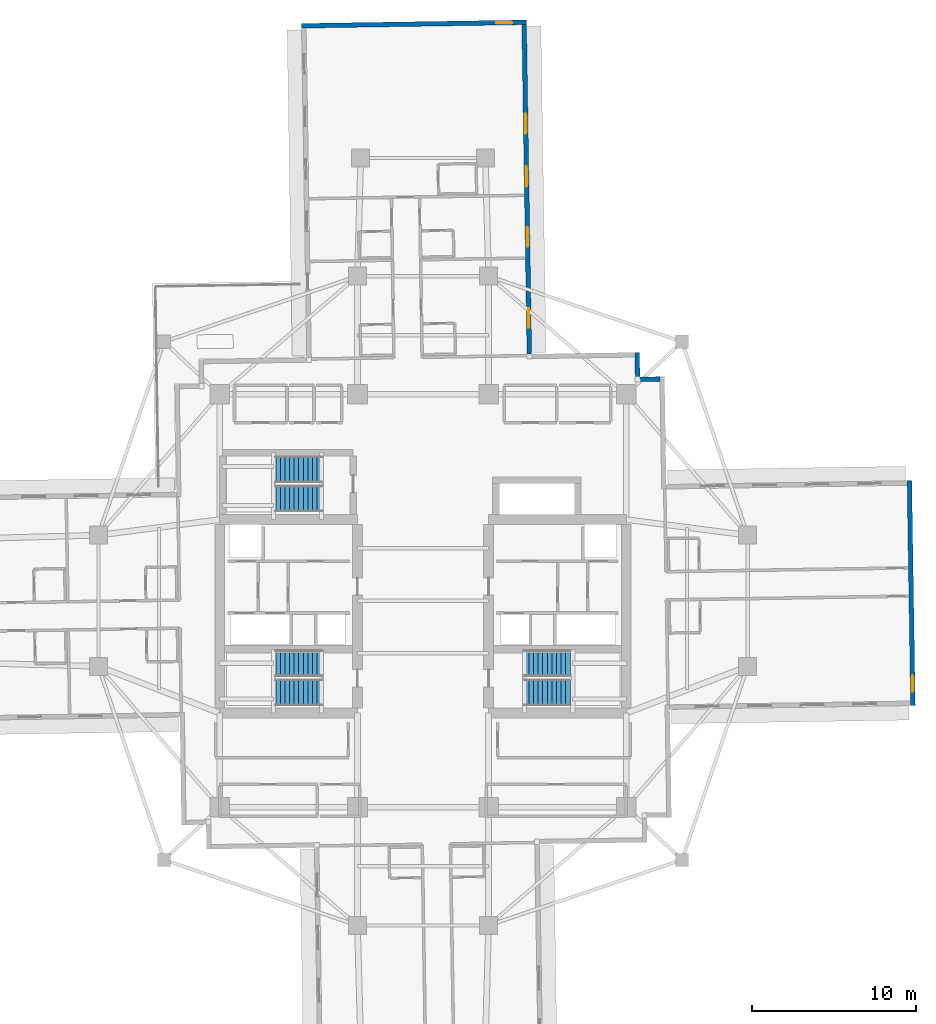
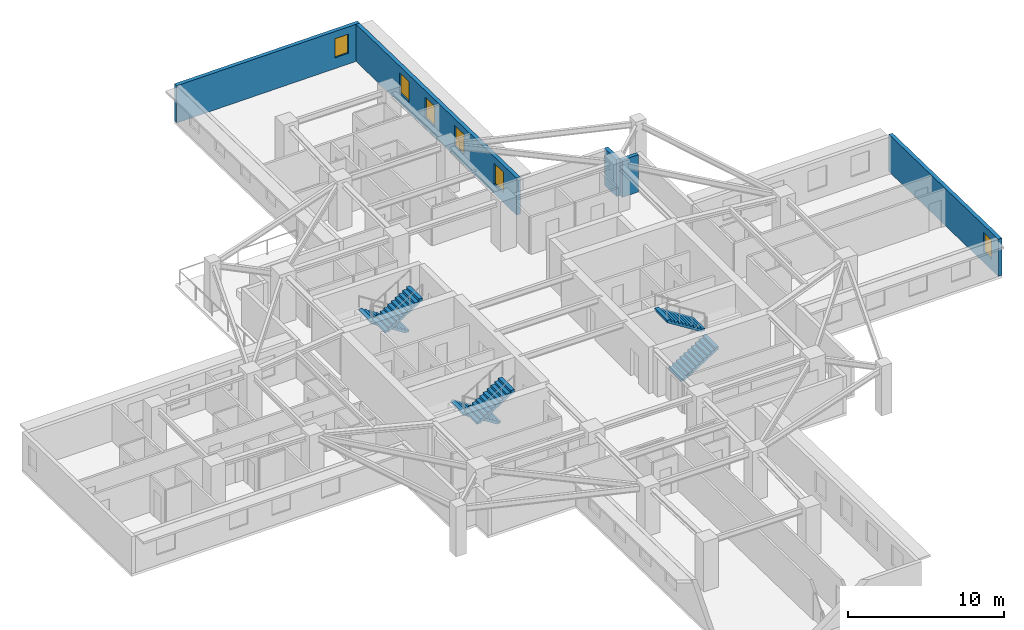
# One storey, part 8 of 13: 6 stair flights, 6 windows, 5 walls, 6 openings, 3 elements without a shape of their own.
"""IFC4 building model written with IfcOpenShell, lengths in metres."""

import ifcopenshell
import ifcopenshell.guid

model = None  # the IFC model being written
_history = None  # IfcOwnerHistory: only IFC2X3 demands one
_inside = {}  # id of a spatial element -> (the spatial element, [elements in it])
_under = {}  # id of a project, library or spatial element -> (it, [spatial elements below it])
_declared = {}  # id of a project -> (the project, [libraries it declares])
_typed = {}  # id of a type object -> (the type object, [elements of that type])
_made_of = {}  # id of a material, layer set ... -> (it, [elements and type objects made of it])


def new_model(schema):
    """Start an empty IFC model of exactly this schema.

    Asked for "IFC4X3", IfcOpenShell would pick the latest addendum, in which some entities
    have other attributes; the version numbers below select the first issue.
    IFC2X3 requires an IfcOwnerHistory on every rooted entity: one is made here for all.
    """
    global model, _history
    if schema == "IFC4X3":
        model = ifcopenshell.file(schema_version=(4, 3, 0, 0))
    else:
        model = ifcopenshell.file(schema=schema)
    _inside.clear()
    _under.clear()
    _declared.clear()
    _typed.clear()
    _made_of.clear()
    _history = None
    if model.schema == "IFC2X3":
        org = make("IfcOrganization", Name="unknown")
        user = make(
            "IfcPersonAndOrganization",
            ThePerson=make("IfcPerson", FamilyName="unknown"),
            TheOrganization=org,
        )
        app = make(
            "IfcApplication",
            ApplicationDeveloper=org,
            Version="unknown",
            ApplicationFullName="unknown",
            ApplicationIdentifier="unknown",
        )
        _history = make(
            "IfcOwnerHistory",
            OwningUser=user,
            OwningApplication=app,
            ChangeAction="ADDED",
            CreationDate=0,
        )
    return model


def make(cls, **values):
    """One entity of the class cls with the attributes given. An attribute that is None is left unset."""
    return model.create_entity(
        cls, **{name: value for name, value in values.items() if value is not None}
    )


def rooted(cls, **values):
    """An entity with a GlobalId (a new one), such as an element, a storey or a relation."""
    return make(cls, GlobalId=ifcopenshell.guid.new(), OwnerHistory=_history, **values)


def si_unit(unit_type, name, prefix=None):
    """IfcSIUnit, for example si_unit("LENGTHUNIT", "METRE", prefix="MILLI")."""
    return make("IfcSIUnit", UnitType=unit_type, Prefix=prefix, Name=name)


def assignment(units):
    """IfcUnitAssignment: the units of a project."""
    return None if units is None else make("IfcUnitAssignment", Units=units)


def point(xyz):
    """IfcCartesianPoint."""
    return None if xyz is None else make("IfcCartesianPoint", Coordinates=xyz)


def direction(xyz):
    """IfcDirection."""
    return None if xyz is None else make("IfcDirection", DirectionRatios=xyz)


def frame(location, z_axis=None, x_axis=None):
    """IfcAxis2Placement3D, a coordinate frame: its origin and axes. An axis left out is left unset."""
    return make(
        "IfcAxis2Placement3D",
        Location=point(location),
        Axis=direction(z_axis),
        RefDirection=direction(x_axis),
    )


def frame_2d(location, x_axis=None):
    """IfcAxis2Placement2D, a coordinate frame in the plane: its origin and x axis."""
    return make(
        "IfcAxis2Placement2D", Location=point(location), RefDirection=direction(x_axis)
    )


def origin():
    """The frame at (0, 0, 0) with its axes left unset."""
    return frame((0.0, 0.0, 0.0))


def place(relative_to, where):
    """IfcLocalPlacement: puts the frame where relative to a parent placement (None: the world)."""
    return make(
        "IfcLocalPlacement", PlacementRelTo=relative_to, RelativePlacement=where
    )


def context(
    kind, dimensions, precision=None, world=None, true_north=None, identifier=None
):
    """IfcGeometricRepresentationContext, for example the 3D "Model" context."""
    return make(
        "IfcGeometricRepresentationContext",
        ContextIdentifier=identifier,
        ContextType=kind,
        CoordinateSpaceDimension=dimensions,
        Precision=precision,
        WorldCoordinateSystem=world,
        TrueNorth=true_north,
    )


def subcontext(parent, identifier, kind, view, scale=None):
    """IfcGeometricRepresentationSubContext, for example "Body" below "Model"."""
    return make(
        "IfcGeometricRepresentationSubContext",
        ContextIdentifier=identifier,
        ContextType=kind,
        ParentContext=parent,
        TargetScale=scale,
        TargetView=view,
    )


def project(units=None, contexts=None):
    """IfcProject with its units and contexts."""
    return rooted(
        "IfcProject",
        Name="project",
        RepresentationContexts=contexts,
        UnitsInContext=assignment(units),
    )


def spatial(cls, under=None, at=None, **own):
    """A site, building, storey or space (cls), placed at a placement, below another one or the project."""
    s = rooted(cls, ObjectPlacement=at, **own)
    if under is not None:
        _under.setdefault(under.id(), (under, []))[1].append(s)
    return s


def polyline(points):
    """IfcPolyline through the points."""
    return make("IfcPolyline", Points=[point(p) for p in points])


def profile(cls, at=None, kind="AREA", **sizes):
    """A parametric profile (cls). Its sizes go by their IFC names, for example OverallWidth=200.0."""
    return make(cls, ProfileType=kind, Position=at, **sizes)


def rectangle(**sizes):
    """IfcRectangleProfileDef."""
    return profile("IfcRectangleProfileDef", **sizes)


def outline(outer, holes=None, kind="AREA"):
    """IfcArbitraryClosedProfileDef: a profile drawn as a closed curve; with holes, ...WithVoids."""
    if holes is None:
        return make("IfcArbitraryClosedProfileDef", ProfileType=kind, OuterCurve=outer)
    return make(
        "IfcArbitraryProfileDefWithVoids",
        ProfileType=kind,
        OuterCurve=outer,
        InnerCurves=holes,
    )


def extrude(swept, where, along, depth):
    """IfcExtrudedAreaSolid: the profile swept, set in the frame where, extruded along a direction by depth."""
    return make(
        "IfcExtrudedAreaSolid",
        SweptArea=swept,
        Position=where,
        ExtrudedDirection=direction(along),
        Depth=depth,
    )


def shape(context_of_items, identifier, shape_type, items):
    """IfcShapeRepresentation: the items that make up one representation, for example the "Body"."""
    return make(
        "IfcShapeRepresentation",
        ContextOfItems=context_of_items,
        RepresentationIdentifier=identifier,
        RepresentationType=shape_type,
        Items=items,
    )


def material(Name=None, Category=None):
    """IfcMaterial."""
    return make("IfcMaterial", Name=Name, Category=Category)


def layer(
    of_material, thickness, ventilated=None, Name=None, Category=None, Priority=None
):
    """IfcMaterialLayer: one layer of a wall or slab, of a material (None: an air gap)."""
    return make(
        "IfcMaterialLayer",
        Material=of_material,
        LayerThickness=thickness,
        IsVentilated=ventilated,
        Name=Name,
        Category=Category,
        Priority=Priority,
    )


def layer_set(layers, Name=None):
    """IfcMaterialLayerSet."""
    return make("IfcMaterialLayerSet", MaterialLayers=layers, LayerSetName=Name)


def made_of(thing, what):
    """Note that an element or type object is made of a material, layer set ...; save() writes the relation."""
    if what is not None:
        _made_of.setdefault(what.id(), (what, []))[1].append(thing)
    return thing


def type_object(cls, material=None, **own):
    """A type object (cls), such as IfcWallType, which elements share."""
    return made_of(rooted(cls, **own), material)


def element(
    cls,
    number,
    at=None,
    inside=None,
    cuts=None,
    type_object=None,
    material=None,
    context=None,
    identifier="Body",
    shape_type=None,
    held_by="IfcProductDefinitionShape",
    body=None,
    shapes=None,
    **own,
):
    """One element of the class cls, such as IfcWall. Its Tag is "e" and its number.

    at: its placement. inside: the storey or other place that contains it. cuts: it is an
    opening in that element (IfcRelVoidsElement). A single representation is given by context,
    identifier, shape_type and body (its items); several are given by shapes. held_by: the class
    of the entity that holds the representations. save() writes the other relations.
    """
    e = rooted(cls, Tag="e%d" % number, ObjectPlacement=at, **own)
    if body is not None:
        shapes = [shape(context, identifier, shape_type, body)]
    if shapes is not None:
        e.Representation = make(held_by, Representations=shapes)
    if inside is not None:
        _inside.setdefault(inside.id(), (inside, []))[1].append(e)
    if cuts is not None:
        rooted(
            "IfcRelVoidsElement", RelatingBuildingElement=cuts, RelatedOpeningElement=e
        )
    if type_object is not None:
        _typed.setdefault(type_object.id(), (type_object, []))[1].append(e)
    return made_of(e, material)


def fill(opening, filler):
    """IfcRelFillsElement: the door or window that sits in an opening."""
    return rooted(
        "IfcRelFillsElement",
        RelatingOpeningElement=opening,
        RelatedBuildingElement=filler,
    )


def aggregate(whole, parts):
    """IfcRelAggregates: a whole, such as a stair, and the parts it consists of."""
    return rooted("IfcRelAggregates", RelatingObject=whole, RelatedObjects=parts)


def save(model, path):
    """Write the relations noted so far, then the file.

    IfcRelAggregates (storeys below a building ...), IfcRelContainedInSpatialStructure (elements
    in a storey), IfcRelDefinesByType, IfcRelAssociatesMaterial and IfcRelDeclares: one each for
    every whole, place, type object, material and project.
    """
    for whole, parts in _under.values():
        aggregate(whole, parts)
    for where, things in _inside.values():
        rooted(
            "IfcRelContainedInSpatialStructure",
            RelatedElements=things,
            RelatingStructure=where,
        )
    for kind, things in _typed.values():
        rooted("IfcRelDefinesByType", RelatedObjects=things, RelatingType=kind)
    for what, things in _made_of.values():
        rooted("IfcRelAssociatesMaterial", RelatedObjects=things, RelatingMaterial=what)
    for by, libraries in _declared.values():
        rooted("IfcRelDeclares", RelatingContext=by, RelatedDefinitions=libraries)
    model.write(path)


model = new_model("IFC4")

# Units and contexts
model_context = context("Model", 3, precision=1e-05, world=origin(), true_north=direction((0.0, 1.0)))
body_context = subcontext(model_context, "Body", "Model", "MODEL_VIEW")
ifc_project = project(units=[si_unit("LENGTHUNIT", "METRE"), si_unit("AREAUNIT", "SQUARE_METRE"), si_unit("VOLUMEUNIT", "CUBIC_METRE"), si_unit("PLANEANGLEUNIT", "RADIAN"), si_unit("MASSUNIT", "GRAM", prefix="KILO")], contexts=[model_context])

# Site, building, storey
site_placement = place(None, origin())
site = spatial("IfcSite", under=ifc_project, at=site_placement, CompositionType="ELEMENT")
building_placement = place(site_placement, origin())
building = spatial("IfcBuilding", under=site, at=building_placement, Name="Qingluan Cross Belvedere", CompositionType="ELEMENT")
storey_placement = place(building_placement, frame((0.0, 0.0, 139.800048828125)))
storey = spatial("IfcBuildingStorey", under=building, at=storey_placement, Name="L35", CompositionType="ELEMENT", Elevation=139.800048828125)

# Wall, opening, window
ifc_material_1 = material(Name="Precast concrete C45", Category="concrete")
ifc_layer_1 = layer(ifc_material_1, 0.280029296875, Name="PrecastFacadeWall_280")
ifc_layer_set_1 = layer_set([ifc_layer_1], Name="Precast concrete C45")
wall_type = type_object("IfcWallType", Name="PrecastFacadeWall_280", PredefinedType="STANDARD", material=ifc_layer_set_1)
wall_1_placement = place(storey_placement, frame((29.884033203125, -6.391357421875, 0.0), z_axis=(0.0, 0.0, 1.0), x_axis=(-0.015694809807, 0.999876828887, 0.0)))
wall_1 = element("IfcWall", 1, at=wall_1_placement, inside=storey, type_object=wall_type, Name="Arm tip precast facade wall L35-E", PredefinedType="STANDARD", context=body_context, shape_type="SweptSolid", body=[
    extrude(rectangle(XDim=13.719970703125, YDim=0.280029296875, at=frame_2d((6.85986328125, 0.0))), origin(), (0.0, 0.0, 1.0), 2.919921875),
])
opening_1_placement = place(wall_1_placement, frame((0.85009765625, 0.0, 0.85009765625)))
opening_1 = element("IfcOpeningElement", 2, at=opening_1_placement, cuts=wall_1, Name="Opening W-03", PredefinedType="OPENING", context=body_context, shape_type="SweptSolid", body=[
    extrude(rectangle(XDim=1.0, YDim=1.5, at=frame_2d((0.5, 0.75))), frame((0.0, 0.14990234375, 0.0), z_axis=(0.0, -1.0, 0.0), x_axis=(1.0, 0.0, 0.0)), (0.0, 0.0, 1.0), 0.300048828125),
])
ifc_material_2 = material(Name="Thermally broken triple Low-E glass in aluminium frame", Category="aluminium")
window_type_1 = type_object("IfcWindowType", Name="TriApexWin_1000x1500", PartitioningType="SINGLE_PANEL", PredefinedType="WINDOW", material=ifc_material_2)
window_1_placement = place(opening_1_placement, origin())
window_1 = element("IfcWindow", 3, at=window_1_placement, inside=storey, type_object=window_type_1, Name="Arm tip triangular window L35-E", OverallHeight=1.5, OverallWidth=1.0, PartitioningType="SINGLE_PANEL", PredefinedType="WINDOW", context=body_context, shape_type="SweptSolid", body=[
    extrude(rectangle(XDim=1.0, YDim=1.5, at=frame_2d((0.5, 0.75))), frame((0.0, 0.030029296875, 0.0), z_axis=(0.0, -1.0, 0.0), x_axis=(1.0, 0.0, 0.0)), (0.0, 0.0, 1.0), 0.06005859375),
])
fill(opening_1, window_1)

# Wall, openings, windows
wall_2_placement = place(storey_placement, frame((6.484619140625, 15.043701171875, 0.0), z_axis=(0.0, 0.0, 1.0), x_axis=(-0.01571739401, 0.999876474133, 0.0)))
wall_2 = element("IfcWall", 4, at=wall_2_placement, inside=storey, type_object=wall_type, Name="Facade wall L35-NA", PredefinedType="STANDARD", context=body_context, shape_type="SweptSolid", body=[
    extrude(rectangle(XDim=20.099853515625, YDim=0.280029296875, at=frame_2d((10.0498046875, 0.0))), origin(), (0.0, 0.0, 1.0), 2.919921875),
])
opening_2_placement = place(wall_2_placement, frame((1.60009765625, 0.0, 0.800048828125)))
opening_2 = element("IfcOpeningElement", 5, at=opening_2_placement, cuts=wall_2, Name="Opening W-02", PredefinedType="OPENING", context=body_context, shape_type="SweptSolid", body=[
    extrude(rectangle(XDim=1.199951171875, YDim=1.60009765625, at=frame_2d((0.60009765625, 0.800048828125))), frame((0.0, 0.14990234375, 0.0), z_axis=(0.0, -1.0, 0.0), x_axis=(1.0, 0.0, 0.0)), (0.0, 0.0, 1.0), 0.300048828125),
])
opening_3_placement = place(wall_2_placement, frame((6.550048828125, 0.0, 0.800048828125)))
opening_3 = element("IfcOpeningElement", 6, at=opening_3_placement, cuts=wall_2, Name="Opening W-02", PredefinedType="OPENING", context=body_context, shape_type="SweptSolid", body=[
    extrude(rectangle(XDim=1.199951171875, YDim=1.60009765625, at=frame_2d((0.60009765625, 0.800048828125))), frame((0.0, 0.14990234375, 0.0), z_axis=(0.0, -1.0, 0.0), x_axis=(1.0, 0.0, 0.0)), (0.0, 0.0, 1.0), 0.300048828125),
])
opening_4_placement = place(wall_2_placement, frame((10.25, 0.0, 0.800048828125)))
opening_4 = element("IfcOpeningElement", 7, at=opening_4_placement, cuts=wall_2, Name="Opening W-02", PredefinedType="OPENING", context=body_context, shape_type="SweptSolid", body=[
    extrude(rectangle(XDim=1.199951171875, YDim=1.60009765625, at=frame_2d((0.60009765625, 0.800048828125))), frame((0.0, 0.14990234375, 0.0), z_axis=(0.0, -1.0, 0.0), x_axis=(1.0, 0.0, 0.0)), (0.0, 0.0, 1.0), 0.300048828125),
])
opening_5_placement = place(wall_2_placement, frame((13.449951171875, 0.0, 0.800048828125)))
opening_5 = element("IfcOpeningElement", 8, at=opening_5_placement, cuts=wall_2, Name="Opening W-02", PredefinedType="OPENING", context=body_context, shape_type="SweptSolid", body=[
    extrude(rectangle(XDim=1.199951171875, YDim=1.60009765625, at=frame_2d((0.60009765625, 0.800048828125))), frame((0.0, 0.14990234375, 0.0), z_axis=(0.0, -1.0, 0.0), x_axis=(1.0, 0.0, 0.0)), (0.0, 0.0, 1.0), 0.300048828125),
])
ifc_material_3 = material(Name="Thermally broken triple Low-E glass in aluminium frame", Category="aluminium")
window_type_2 = type_object("IfcWindowType", Name="TriRibbonWin_1200x1600", PartitioningType="SINGLE_PANEL", PredefinedType="WINDOW", material=ifc_material_3)
window_2_placement = place(opening_2_placement, origin())
window_2 = element("IfcWindow", 9, at=window_2_placement, inside=storey, type_object=window_type_2, Name="Ribbon window L35-NA-1", OverallHeight=1.60009765625, OverallWidth=1.199951171875, PartitioningType="SINGLE_PANEL", PredefinedType="WINDOW", context=body_context, shape_type="SweptSolid", body=[
    extrude(rectangle(XDim=1.199951171875, YDim=1.60009765625, at=frame_2d((0.60009765625, 0.800048828125))), frame((0.0, 0.030029296875, 0.0), z_axis=(0.0, -1.0, 0.0), x_axis=(1.0, 0.0, 0.0)), (0.0, 0.0, 1.0), 0.06005859375),
])
fill(opening_2, window_2)
window_3_placement = place(opening_3_placement, origin())
window_3 = element("IfcWindow", 10, at=window_3_placement, inside=storey, type_object=window_type_2, Name="Ribbon window L35-NA-2", OverallHeight=1.60009765625, OverallWidth=1.199951171875, PartitioningType="SINGLE_PANEL", PredefinedType="WINDOW", context=body_context, shape_type="SweptSolid", body=[
    extrude(rectangle(XDim=1.199951171875, YDim=1.60009765625, at=frame_2d((0.60009765625, 0.800048828125))), frame((0.0, 0.030029296875, 0.0), z_axis=(0.0, -1.0, 0.0), x_axis=(1.0, 0.0, 0.0)), (0.0, 0.0, 1.0), 0.06005859375),
])
fill(opening_3, window_3)
window_4_placement = place(opening_4_placement, origin())
window_4 = element("IfcWindow", 11, at=window_4_placement, inside=storey, type_object=window_type_2, Name="Ribbon window L35-NA-3", OverallHeight=1.60009765625, OverallWidth=1.199951171875, PartitioningType="SINGLE_PANEL", PredefinedType="WINDOW", context=body_context, shape_type="SweptSolid", body=[
    extrude(rectangle(XDim=1.199951171875, YDim=1.60009765625, at=frame_2d((0.60009765625, 0.800048828125))), frame((0.0, 0.030029296875, 0.0), z_axis=(0.0, -1.0, 0.0), x_axis=(1.0, 0.0, 0.0)), (0.0, 0.0, 1.0), 0.06005859375),
])
fill(opening_4, window_4)
window_5_placement = place(opening_5_placement, origin())
window_5 = element("IfcWindow", 12, at=window_5_placement, inside=storey, type_object=window_type_2, Name="Ribbon window L35-NA-4", OverallHeight=1.60009765625, OverallWidth=1.199951171875, PartitioningType="SINGLE_PANEL", PredefinedType="WINDOW", context=body_context, shape_type="SweptSolid", body=[
    extrude(rectangle(XDim=1.199951171875, YDim=1.60009765625, at=frame_2d((0.60009765625, 0.800048828125))), frame((0.0, 0.030029296875, 0.0), z_axis=(0.0, -1.0, 0.0), x_axis=(1.0, 0.0, 0.0)), (0.0, 0.0, 1.0), 0.06005859375),
])
fill(opening_5, window_5)

# Wall, opening, window
wall_3_placement = place(storey_placement, frame((6.306640625, 35.283447265625, 0.0), z_axis=(0.0, 0.0, 1.0), x_axis=(-0.999876549481, -0.015712599986, 0.0)))
wall_3 = element("IfcWall", 13, at=wall_3_placement, inside=storey, type_object=wall_type, Name="Arm tip precast facade wall L35-N", PredefinedType="STANDARD", context=body_context, shape_type="SweptSolid", body=[
    extrude(rectangle(XDim=13.719970703125, YDim=0.280029296875, at=frame_2d((6.85986328125, 0.0))), origin(), (0.0, 0.0, 1.0), 2.919921875),
])
opening_6_placement = place(wall_3_placement, frame((0.85009765625, 0.0, 0.85009765625)))
opening_6 = element("IfcOpeningElement", 14, at=opening_6_placement, cuts=wall_3, Name="Opening W-03", PredefinedType="OPENING", context=body_context, shape_type="SweptSolid", body=[
    extrude(rectangle(XDim=1.0, YDim=1.5, at=frame_2d((0.5, 0.75))), frame((0.0, 0.14990234375, 0.0), z_axis=(0.0, -1.0, 0.0), x_axis=(1.0, 0.0, 0.0)), (0.0, 0.0, 1.0), 0.300048828125),
])
window_6_placement = place(opening_6_placement, origin())
window_6 = element("IfcWindow", 15, at=window_6_placement, inside=storey, type_object=window_type_1, Name="Arm tip triangular window L35-N", OverallHeight=1.5, OverallWidth=1.0, PartitioningType="SINGLE_PANEL", PredefinedType="WINDOW", context=body_context, shape_type="SweptSolid", body=[
    extrude(rectangle(XDim=1.0, YDim=1.5, at=frame_2d((0.5, 0.75))), frame((0.0, 0.030029296875, 0.0), z_axis=(0.0, -1.0, 0.0), x_axis=(1.0, 0.0, 0.0)), (0.0, 0.0, 1.0), 0.06005859375),
])
fill(opening_6, window_6)

# Walls
wall_4_placement = place(storey_placement, frame((14.44921875, 13.528564453125, 0.0), z_axis=(0.0, 0.0, 1.0), x_axis=(-0.999878147354, -0.015610587569, 0.0)))
element("IfcWall", 16, at=wall_4_placement, inside=storey, type_object=wall_type, Name="Corner wall L35-NE2", PredefinedType="STANDARD", context=body_context, shape_type="SweptSolid", body=[
    extrude(rectangle(XDim=1.219970703125, YDim=0.280029296875, at=frame_2d((0.60986328125, 0.0))), origin(), (0.0, 0.0, 1.0), 2.919921875),
])
wall_5_placement = place(storey_placement, frame((13.08740234375, 13.647216796875, 0.0), z_axis=(0.0, 0.0, 1.0), x_axis=(-0.015785793208, 0.999875396603, 0.0)))
element("IfcWall", 17, at=wall_5_placement, inside=storey, type_object=wall_type, Name="Corner wall L35-NE3", PredefinedType="STANDARD", context=body_context, shape_type="SweptSolid", body=[
    extrude(rectangle(XDim=1.500244140625, YDim=0.280029296875, at=frame_2d((0.75, 0.0))), origin(), (0.0, 0.0, 1.0), 2.919921875),
])

# Stair, stair flights
ifc_material_4 = material(Name="Concrete C40", Category="concrete")
stair_type = type_object("IfcStairType", Name="CoreDoglegStair_1620", PredefinedType="HALF_TURN_STAIR", material=ifc_material_4)
stair_1_placement = place(storey_placement, origin())
stair_1 = element("IfcStair", 18, at=stair_1_placement, inside=storey, type_object=stair_type, Name="L35 ST1", PredefinedType="HALF_TURN_STAIR")
ifc_material_5 = material(Name="Concrete C40", Category="concrete")
ifc_layer_2 = layer(ifc_material_5, 0.179931640625, Name="StairFlight_RC180")
ifc_layer_set_2 = layer_set([ifc_layer_2], Name="Concrete C40")
stair_flight_type = type_object("IfcStairFlightType", Name="StairFlight_RC180", PredefinedType="STRAIGHT", material=ifc_layer_set_2)
stair_flight_1_placement = place(storey_placement, frame((-6.179931640625, -3.81005859375, 0.0), z_axis=(0.0, 0.0, 1.0), x_axis=(-1.0, 0.0, 0.0)))
stair_flight_1 = element("IfcStairFlight", 19, at=stair_flight_1_placement, type_object=stair_flight_type, Name="ST1 flight 1", NumberOfRisers=11, NumberOfTreads=10, PredefinedType="STRAIGHT", RiserHeight=0.177272727, TreadLength=0.28, context=body_context, shape_type="SweptSolid", body=[
    extrude(outline(polyline([(0.0, 0.0), (0.0, 0.17724609375), (0.280029296875, 0.17724609375), (0.280029296875, 0.3544921875), (0.56005859375, 0.3544921875), (0.56005859375, 0.53173828125), (0.840087890625, 0.53173828125), (0.840087890625, 0.708984375), (1.1201171875, 0.708984375), (1.1201171875, 0.886474609375), (1.39990234375, 0.886474609375), (1.39990234375, 1.063720703125), (1.679931640625, 1.063720703125), (1.679931640625, 1.240966796875), (1.9599609375, 1.240966796875), (1.9599609375, 1.418212890625), (2.239990234375, 1.418212890625), (2.239990234375, 1.595458984375), (2.52001953125, 1.595458984375), (2.52001953125, 1.772705078125), (2.800048828125, 1.772705078125), (2.800048828125, 1.949951171875), (2.800048828125, 1.59521484375), (0.2802734375, 0.0), (0.0, 0.0)])), frame((0.0, 0.81005859375, 0.0), z_axis=(0.0, -1.0, 0.0), x_axis=(1.0, 0.0, 0.0)), (0.0, 0.0, 1.0), 1.6201171875),
])
stair_flight_2_placement = place(storey_placement, frame((-8.97998046875, -5.590087890625, 1.949951171875), z_axis=(0.0, 0.0, 1.0), x_axis=(1.0, 0.0, 0.0)))
stair_flight_2 = element("IfcStairFlight", 20, at=stair_flight_2_placement, type_object=stair_flight_type, Name="ST1 flight 2", NumberOfRisers=11, NumberOfTreads=10, PredefinedType="STRAIGHT", RiserHeight=0.177272727, TreadLength=0.28, context=body_context, shape_type="SweptSolid", body=[
    extrude(outline(polyline([(0.0, 0.0), (0.0, 0.17724609375), (0.280029296875, 0.17724609375), (0.280029296875, 0.3544921875), (0.56005859375, 0.3544921875), (0.56005859375, 0.53173828125), (0.840087890625, 0.53173828125), (0.840087890625, 0.708984375), (1.1201171875, 0.708984375), (1.1201171875, 0.886474609375), (1.39990234375, 0.886474609375), (1.39990234375, 1.063720703125), (1.679931640625, 1.063720703125), (1.679931640625, 1.240966796875), (1.9599609375, 1.240966796875), (1.9599609375, 1.418212890625), (2.239990234375, 1.418212890625), (2.239990234375, 1.595458984375), (2.52001953125, 1.595458984375), (2.52001953125, 1.772705078125), (2.800048828125, 1.772705078125), (2.800048828125, 1.949951171875), (2.800048828125, 1.59521484375), (0.2802734375, 0.0), (0.0, 0.0)])), frame((0.0, 0.81005859375, 0.0), z_axis=(0.0, -1.0, 0.0), x_axis=(1.0, 0.0, 0.0)), (0.0, 0.0, 1.0), 1.6201171875),
])
aggregate(stair_1, [stair_flight_1, stair_flight_2])

stair_2_placement = place(storey_placement, origin())
stair_2 = element("IfcStair", 21, at=stair_2_placement, inside=storey, type_object=stair_type, Name="L35 ST2", PredefinedType="HALF_TURN_STAIR")
stair_flight_3_placement = place(storey_placement, frame((6.179931640625, -5.590087890625, 0.0), z_axis=(0.0, 0.0, 1.0), x_axis=(1.0, 0.0, 0.0)))
stair_flight_3 = element("IfcStairFlight", 22, at=stair_flight_3_placement, type_object=stair_flight_type, Name="ST2 flight 1", NumberOfRisers=11, NumberOfTreads=10, PredefinedType="STRAIGHT", RiserHeight=0.177272727, TreadLength=0.28, context=body_context, shape_type="SweptSolid", body=[
    extrude(outline(polyline([(0.0, 0.0), (0.0, 0.17724609375), (0.280029296875, 0.17724609375), (0.280029296875, 0.3544921875), (0.56005859375, 0.3544921875), (0.56005859375, 0.53173828125), (0.840087890625, 0.53173828125), (0.840087890625, 0.708984375), (1.1201171875, 0.708984375), (1.1201171875, 0.886474609375), (1.39990234375, 0.886474609375), (1.39990234375, 1.063720703125), (1.679931640625, 1.063720703125), (1.679931640625, 1.240966796875), (1.9599609375, 1.240966796875), (1.9599609375, 1.418212890625), (2.239990234375, 1.418212890625), (2.239990234375, 1.595458984375), (2.52001953125, 1.595458984375), (2.52001953125, 1.772705078125), (2.800048828125, 1.772705078125), (2.800048828125, 1.949951171875), (2.800048828125, 1.59521484375), (0.2802734375, 0.0), (0.0, 0.0)])), frame((0.0, 0.81005859375, 0.0), z_axis=(0.0, -1.0, 0.0), x_axis=(1.0, 0.0, 0.0)), (0.0, 0.0, 1.0), 1.6201171875),
])
stair_flight_4_placement = place(storey_placement, frame((8.97998046875, -3.81005859375, 1.949951171875), z_axis=(0.0, 0.0, 1.0), x_axis=(-1.0, 0.0, 0.0)))
stair_flight_4 = element("IfcStairFlight", 23, at=stair_flight_4_placement, type_object=stair_flight_type, Name="ST2 flight 2", NumberOfRisers=11, NumberOfTreads=10, PredefinedType="STRAIGHT", RiserHeight=0.177272727, TreadLength=0.28, context=body_context, shape_type="SweptSolid", body=[
    extrude(outline(polyline([(0.0, 0.0), (0.0, 0.17724609375), (0.280029296875, 0.17724609375), (0.280029296875, 0.3544921875), (0.56005859375, 0.3544921875), (0.56005859375, 0.53173828125), (0.840087890625, 0.53173828125), (0.840087890625, 0.708984375), (1.1201171875, 0.708984375), (1.1201171875, 0.886474609375), (1.39990234375, 0.886474609375), (1.39990234375, 1.063720703125), (1.679931640625, 1.063720703125), (1.679931640625, 1.240966796875), (1.9599609375, 1.240966796875), (1.9599609375, 1.418212890625), (2.239990234375, 1.418212890625), (2.239990234375, 1.595458984375), (2.52001953125, 1.595458984375), (2.52001953125, 1.772705078125), (2.800048828125, 1.772705078125), (2.800048828125, 1.949951171875), (2.800048828125, 1.59521484375), (0.2802734375, 0.0), (0.0, 0.0)])), frame((0.0, 0.81005859375, 0.0), z_axis=(0.0, -1.0, 0.0), x_axis=(1.0, 0.0, 0.0)), (0.0, 0.0, 1.0), 1.6201171875),
])
aggregate(stair_2, [stair_flight_3, stair_flight_4])

stair_3_placement = place(storey_placement, origin())
stair_3 = element("IfcStair", 24, at=stair_3_placement, inside=storey, type_object=stair_type, Name="L35 ST3", PredefinedType="HALF_TURN_STAIR")
stair_flight_5_placement = place(storey_placement, frame((-6.179931640625, 8.010009765625, 0.0), z_axis=(0.0, 0.0, 1.0), x_axis=(-1.0, 0.0, 0.0)))
stair_flight_5 = element("IfcStairFlight", 25, at=stair_flight_5_placement, type_object=stair_flight_type, Name="ST3 flight 1", NumberOfRisers=11, NumberOfTreads=10, PredefinedType="STRAIGHT", RiserHeight=0.177272727, TreadLength=0.28, context=body_context, shape_type="SweptSolid", body=[
    extrude(outline(polyline([(0.0, 0.0), (0.0, 0.17724609375), (0.280029296875, 0.17724609375), (0.280029296875, 0.3544921875), (0.56005859375, 0.3544921875), (0.56005859375, 0.53173828125), (0.840087890625, 0.53173828125), (0.840087890625, 0.708984375), (1.1201171875, 0.708984375), (1.1201171875, 0.886474609375), (1.39990234375, 0.886474609375), (1.39990234375, 1.063720703125), (1.679931640625, 1.063720703125), (1.679931640625, 1.240966796875), (1.9599609375, 1.240966796875), (1.9599609375, 1.418212890625), (2.239990234375, 1.418212890625), (2.239990234375, 1.595458984375), (2.52001953125, 1.595458984375), (2.52001953125, 1.772705078125), (2.800048828125, 1.772705078125), (2.800048828125, 1.949951171875), (2.800048828125, 1.59521484375), (0.2802734375, 0.0), (0.0, 0.0)])), frame((0.0, 0.81005859375, 0.0), z_axis=(0.0, -1.0, 0.0), x_axis=(1.0, 0.0, 0.0)), (0.0, 0.0, 1.0), 1.6201171875),
])
stair_flight_6_placement = place(storey_placement, frame((-8.97998046875, 6.22998046875, 1.949951171875), z_axis=(0.0, 0.0, 1.0), x_axis=(1.0, 0.0, 0.0)))
stair_flight_6 = element("IfcStairFlight", 26, at=stair_flight_6_placement, type_object=stair_flight_type, Name="ST3 flight 2", NumberOfRisers=11, NumberOfTreads=10, PredefinedType="STRAIGHT", RiserHeight=0.177272727, TreadLength=0.28, context=body_context, shape_type="SweptSolid", body=[
    extrude(outline(polyline([(0.0, 0.0), (0.0, 0.17724609375), (0.280029296875, 0.17724609375), (0.280029296875, 0.3544921875), (0.56005859375, 0.3544921875), (0.56005859375, 0.53173828125), (0.840087890625, 0.53173828125), (0.840087890625, 0.708984375), (1.1201171875, 0.708984375), (1.1201171875, 0.886474609375), (1.39990234375, 0.886474609375), (1.39990234375, 1.063720703125), (1.679931640625, 1.063720703125), (1.679931640625, 1.240966796875), (1.9599609375, 1.240966796875), (1.9599609375, 1.418212890625), (2.239990234375, 1.418212890625), (2.239990234375, 1.595458984375), (2.52001953125, 1.595458984375), (2.52001953125, 1.772705078125), (2.800048828125, 1.772705078125), (2.800048828125, 1.949951171875), (2.800048828125, 1.59521484375), (0.2802734375, 0.0), (0.0, 0.0)])), frame((0.0, 0.81005859375, 0.0), z_axis=(0.0, -1.0, 0.0), x_axis=(1.0, 0.0, 0.0)), (0.0, 0.0, 1.0), 1.6201171875),
])
aggregate(stair_3, [stair_flight_5, stair_flight_6])

save(model, "model.ifc")
